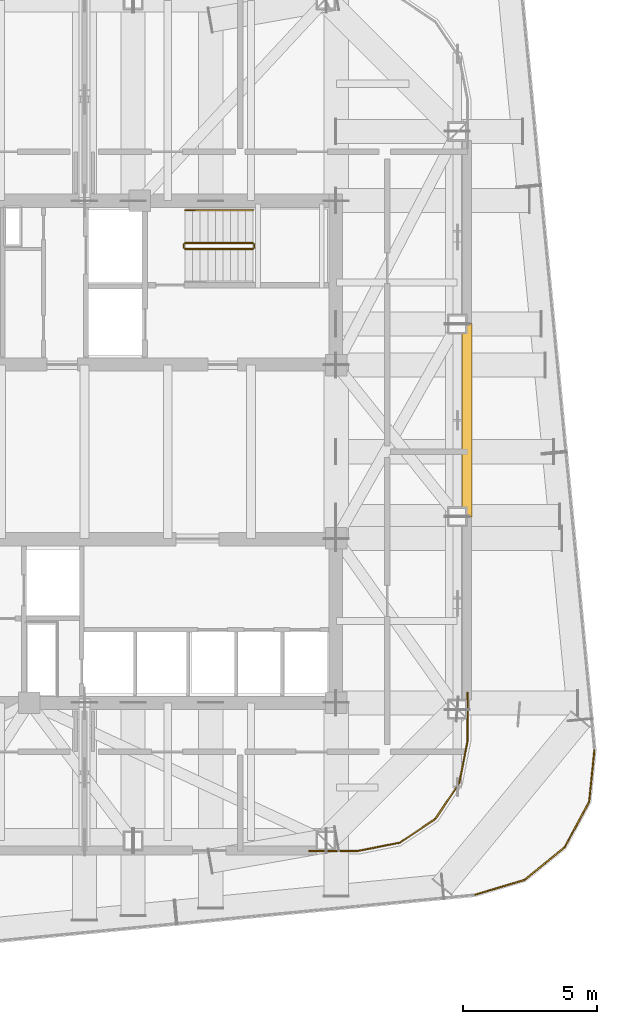
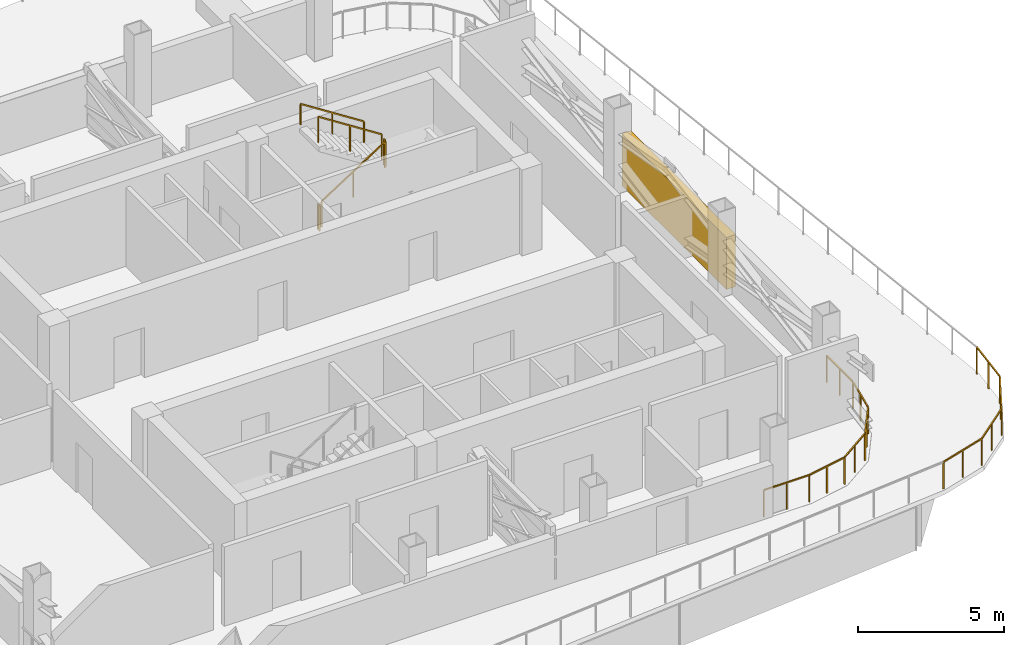
# One storey, part 11 of 12: 11 railings, 1 shading device.
"""IFC4 building model written with IfcOpenShell, lengths in metres."""

from ifc_helpers import new_model, si_unit, direction, frame, origin, origin_2d, place, context, subcontext, project, spatial, rectangle, extrude, material, type_object, element, save


model = new_model("IFC4")

# Units and contexts
model_context = context("Model", 3, precision=1e-05, world=origin(), true_north=direction((0.0, 1.0)))
body_context = subcontext(model_context, "Body", "Model", "MODEL_VIEW")
ifc_project = project(units=[si_unit("LENGTHUNIT", "METRE"), si_unit("AREAUNIT", "SQUARE_METRE"), si_unit("VOLUMEUNIT", "CUBIC_METRE"), si_unit("PLANEANGLEUNIT", "RADIAN"), si_unit("MASSUNIT", "GRAM", prefix="KILO")], contexts=[model_context])

# Site, building, storey
site_placement = place(None, origin())
site = spatial("IfcSite", under=ifc_project, at=site_placement, CompositionType="ELEMENT")
building_placement = place(site_placement, origin())
building = spatial("IfcBuilding", under=site, at=building_placement, Name="Qhalaya Broadcast Tower", CompositionType="ELEMENT")
storey_placement = place(building_placement, frame((0.0, 0.0, 187.949951171875)))
storey = spatial("IfcBuildingStorey", under=building, at=storey_placement, Name="L55", CompositionType="ELEMENT", Elevation=187.949951171875)

# Shading device
ifc_material_1 = material(Name="Fired Architectural Terracotta", Category="masonry")
shading_device_type = type_object("IfcShadingDeviceType", Name="Plant & Turbine-Slot Acoustic Louvre Screen LVS-01", PredefinedType="USERDEFINED", material=ifc_material_1)
shading_device_placement = place(storey_placement, frame((14.239990234375, 1.77001953125, 0.0), z_axis=(0.0, 0.0, 1.0), x_axis=(0.0, -1.0, 0.0)))
element("IfcShadingDevice", 1, at=shading_device_placement, inside=storey, type_object=shading_device_type, Name="L55 Plant Acoustic Louvre Screen E", ObjectType="LOUVRE", PredefinedType="USERDEFINED", context=body_context, shape_type="SweptSolid", body=[
    extrude(rectangle(XDim=7.199951171875, YDim=0.360107421875, at=origin_2d()), origin(), (0.0, 0.0, 1.0), 2.181884765625),
])

# Railings
ifc_material_2 = material(Name="Powder-Coated Galvanised Steel", Category="steel")
railing_type_1 = type_object("IfcRailingType", Name="Stair Wall Handrail 900", PredefinedType="HANDRAIL", material=ifc_material_2)
railing_1_placement = place(storey_placement, frame((6.27001953125, 9.590087890625, 1.97998046875)))
element("IfcRailing", 2, at=railing_1_placement, inside=storey, type_object=railing_type_1, Name="L55 ST-1 Stair Handrail 2", PredefinedType="HANDRAIL", context=body_context, shape_type="SweptSolid", body=[
    extrude(rectangle(XDim=0.048095703125, YDim=0.048095703125, at=origin_2d()), frame((0.0, 0.0, 0.8759765625), z_axis=(-0.841162588446, 0.0, 0.540782303519), x_axis=(0.0, -1.0, 0.0)), (0.0, 0.0, 1.0), 2.995849609375),
    extrude(rectangle(XDim=0.0419921875, YDim=0.0419921875, at=origin_2d()), origin(), (0.0, 0.0, 1.0), 0.849853515625),
    extrude(rectangle(XDim=0.0419921875, YDim=0.0419921875, at=origin_2d()), frame((-1.260009765625, 0.0, 0.81005859375)), (0.0, 0.0, 1.0), 0.849853515625),
    extrude(rectangle(XDim=0.0419921875, YDim=0.0419921875, at=origin_2d()), frame((-2.52001953125, 0.0, 1.6201171875)), (0.0, 0.0, 1.0), 0.849853515625),
])
railing_type_2 = type_object("IfcRailingType", Name="Stair Well & Landing Guardrail 1100", PredefinedType="GUARDRAIL", material=ifc_material_2)
railing_2_placement = place(storey_placement, frame((3.75, 8.14990234375, 0.179931640625)))
element("IfcRailing", 3, at=railing_2_placement, inside=storey, type_object=railing_type_2, Name="L55 ST-1 Stair Guard 1", PredefinedType="GUARDRAIL", context=body_context, shape_type="SweptSolid", body=[
    extrude(rectangle(XDim=0.048095703125, YDim=0.048095703125, at=origin_2d()), frame((0.0, 0.0, 1.076171875), z_axis=(0.841162588446, 0.0, 0.540782303519), x_axis=(0.0, 1.0, 0.0)), (0.0, 0.0, 1.0), 2.995849609375),
    extrude(rectangle(XDim=0.0419921875, YDim=0.0419921875, at=origin_2d()), origin(), (0.0, 0.0, 1.0), 1.050048828125),
    extrude(rectangle(XDim=0.0419921875, YDim=0.0419921875, at=origin_2d()), frame((1.260009765625, 0.0, 0.81005859375)), (0.0, 0.0, 1.0), 1.050048828125),
    extrude(rectangle(XDim=0.0419921875, YDim=0.0419921875, at=origin_2d()), frame((2.52001953125, 0.0, 1.6201171875)), (0.0, 0.0, 1.0), 1.050048828125),
])
railing_3_placement = place(storey_placement, frame((6.320068359375, 8.199951171875, 1.800048828125)))
element("IfcRailing", 4, at=railing_3_placement, inside=storey, type_object=railing_type_2, Name="L55 ST-1 Stair Guard 2", PredefinedType="GUARDRAIL", context=body_context, shape_type="SweptSolid", body=[
    extrude(rectangle(XDim=0.048095703125, YDim=0.048095703125, at=origin_2d()), frame((0.0, 0.0, 1.076171875), z_axis=(0.0, 1.0, 0.0), x_axis=(-1.0, 0.0, 0.0)), (0.0, 0.0, 1.0), 0.1201171875),
    extrude(rectangle(XDim=0.0419921875, YDim=0.0419921875, at=origin_2d()), origin(), (0.0, 0.0, 1.0), 1.050048828125),
    extrude(rectangle(XDim=0.0419921875, YDim=0.0419921875, at=origin_2d()), frame((0.0, 0.1201171875, 0.0)), (0.0, 0.0, 1.0), 1.050048828125),
])
railing_4_placement = place(storey_placement, frame((6.27001953125, 8.3701171875, 1.97998046875)))
element("IfcRailing", 5, at=railing_4_placement, inside=storey, type_object=railing_type_2, Name="L55 ST-1 Stair Guard 3", PredefinedType="GUARDRAIL", context=body_context, shape_type="SweptSolid", body=[
    extrude(rectangle(XDim=0.048095703125, YDim=0.048095703125, at=origin_2d()), frame((0.0, 0.0, 1.076171875), z_axis=(-0.841162588446, 0.0, 0.540782303519), x_axis=(0.0, -1.0, 0.0)), (0.0, 0.0, 1.0), 2.995849609375),
    extrude(rectangle(XDim=0.0419921875, YDim=0.0419921875, at=origin_2d()), origin(), (0.0, 0.0, 1.0), 1.050048828125),
    extrude(rectangle(XDim=0.0419921875, YDim=0.0419921875, at=origin_2d()), frame((-1.260009765625, 0.0, 0.81005859375)), (0.0, 0.0, 1.0), 1.050048828125),
    extrude(rectangle(XDim=0.0419921875, YDim=0.0419921875, at=origin_2d()), frame((-2.52001953125, 0.0, 1.6201171875)), (0.0, 0.0, 1.0), 1.050048828125),
])
railing_5_placement = place(storey_placement, frame((3.699951171875, 8.199951171875, 0.0)))
element("IfcRailing", 6, at=railing_5_placement, inside=storey, type_object=railing_type_2, Name="L55 ST-1 Stair Guard 4", PredefinedType="GUARDRAIL", context=body_context, shape_type="SweptSolid", body=[
    extrude(rectangle(XDim=0.048095703125, YDim=0.048095703125, at=origin_2d()), frame((0.0, 0.0, 1.076171875), z_axis=(0.0, 1.0, 0.0), x_axis=(-1.0, 0.0, 0.0)), (0.0, 0.0, 1.0), 0.1201171875),
    extrude(rectangle(XDim=0.0419921875, YDim=0.0419921875, at=origin_2d()), origin(), (0.0, 0.0, 1.0), 1.050048828125),
    extrude(rectangle(XDim=0.0419921875, YDim=0.0419921875, at=origin_2d()), frame((0.0, 0.1201171875, 0.0)), (0.0, 0.0, 1.0), 1.050048828125),
])
railing_type_3 = type_object("IfcRailingType", Name="Terrace, Sky-Pool & Lookout Glass Balustrade 1150", PredefinedType="BALUSTRADE", material=ifc_material_2)
railing_6_placement = place(storey_placement, frame((18.97998046875, -10.50830078125, 0.0)))
element("IfcRailing", 7, at=railing_6_placement, inside=storey, type_object=railing_type_3, Name="L55 Perimeter Safety Balustrade BAL-TER1-17", PredefinedType="BALUSTRADE", context=body_context, shape_type="SweptSolid", body=[
    extrude(rectangle(XDim=0.048095703125, YDim=0.048095703125, at=origin_2d()), frame((0.0, 0.0, 1.1259765625), z_axis=(-0.100080680776, -0.994979325079, 0.0), x_axis=(0.994979325079, -0.100080680776, 0.0)), (0.0, 0.0, 1.0), 1.92724609375),
    extrude(rectangle(XDim=0.0419921875, YDim=0.0419921875, at=origin_2d()), origin(), (0.0, 0.0, 1.0), 1.099853515625),
    extrude(rectangle(XDim=0.0419921875, YDim=0.0419921875, at=origin_2d()), frame((-0.096435546875, -0.958740234375, 0.0)), (0.0, 0.0, 1.0), 1.099853515625),
    extrude(rectangle(XDim=0.0419921875, YDim=0.0419921875, at=origin_2d()), frame((-0.19287109375, -1.91748046875, 0.0)), (0.0, 0.0, 1.0), 1.099853515625),
])
railing_7_placement = place(storey_placement, frame((18.787109375, -12.42578125, 0.0)))
element("IfcRailing", 8, at=railing_7_placement, inside=storey, type_object=railing_type_3, Name="L55 Perimeter Safety Balustrade BAL-TER1-18", PredefinedType="BALUSTRADE", context=body_context, shape_type="SweptSolid", body=[
    extrude(rectangle(XDim=0.048095703125, YDim=0.048095703125, at=origin_2d()), frame((0.0, 0.0, 1.1259765625), z_axis=(-0.473280236447, -0.880911923968, 0.0), x_axis=(0.880911923968, -0.473280236447, 0.0)), (0.0, 0.0, 1.0), 1.9189453125),
    extrude(rectangle(XDim=0.0419921875, YDim=0.0419921875, at=origin_2d()), origin(), (0.0, 0.0, 1.0), 1.099853515625),
    extrude(rectangle(XDim=0.0419921875, YDim=0.0419921875, at=origin_2d()), frame((-0.4541015625, -0.84521484375, 0.0)), (0.0, 0.0, 1.0), 1.099853515625),
    extrude(rectangle(XDim=0.0419921875, YDim=0.0419921875, at=origin_2d()), frame((-0.908203125, -1.6904296875, 0.0)), (0.0, 0.0, 1.0), 1.099853515625),
])
railing_8_placement = place(storey_placement, frame((17.87890625, -14.1162109375, 0.0)))
element("IfcRailing", 9, at=railing_8_placement, inside=storey, type_object=railing_type_3, Name="L55 Perimeter Safety Balustrade BAL-TER1-19", PredefinedType="BALUSTRADE", context=body_context, shape_type="SweptSolid", body=[
    extrude(rectangle(XDim=0.048095703125, YDim=0.048095703125, at=origin_2d()), frame((0.0, 0.0, 1.1259765625), z_axis=(-0.774399165281, -0.63269734693, 0.0), x_axis=(0.63269734693, -0.774399165281, 0.0)), (0.0, 0.0, 1.0), 1.91943359375),
    extrude(rectangle(XDim=0.0419921875, YDim=0.0419921875, at=origin_2d()), origin(), (0.0, 0.0, 1.0), 1.099853515625),
    extrude(rectangle(XDim=0.0419921875, YDim=0.0419921875, at=origin_2d()), frame((-0.7431640625, -0.607177734375, 0.0)), (0.0, 0.0, 1.0), 1.099853515625),
    extrude(rectangle(XDim=0.0419921875, YDim=0.0419921875, at=origin_2d()), frame((-1.486328125, -1.21435546875, 0.0)), (0.0, 0.0, 1.0), 1.099853515625),
])
railing_9_placement = place(storey_placement, frame((16.392578125, -15.33056640625, 0.0)))
element("IfcRailing", 10, at=railing_9_placement, inside=storey, type_object=railing_type_3, Name="L55 Perimeter Safety Balustrade BAL-TER1-20", PredefinedType="BALUSTRADE", context=body_context, shape_type="SweptSolid", body=[
    extrude(rectangle(XDim=0.048095703125, YDim=0.048095703125, at=origin_2d()), frame((0.0, 0.0, 1.1259765625), z_axis=(-0.95759582636, -0.288114965486, 0.0), x_axis=(0.288114965486, -0.95759582636, 0.0)), (0.0, 0.0, 1.0), 1.927001953125),
    extrude(rectangle(XDim=0.0419921875, YDim=0.0419921875, at=origin_2d()), origin(), (0.0, 0.0, 1.0), 1.099853515625),
    extrude(rectangle(XDim=0.0419921875, YDim=0.0419921875, at=origin_2d()), frame((-0.922607421875, -0.277587890625, 0.0)), (0.0, 0.0, 1.0), 1.099853515625),
    extrude(rectangle(XDim=0.0419921875, YDim=0.0419921875, at=origin_2d()), frame((-1.84521484375, -0.55517578125, 0.0)), (0.0, 0.0, 1.0), 1.099853515625),
])
railing_10_placement = place(storey_placement, frame((10.168212890625, -14.260009765625, 0.0)))
element("IfcRailing", 11, at=railing_10_placement, inside=storey, type_object=railing_type_3, Name="L55 Rounded Corner Perimeter Guard 01", PredefinedType="BALUSTRADE", context=body_context, shape_type="SweptSolid", body=[
    extrude(rectangle(XDim=0.048095703125, YDim=0.048095703125, at=origin_2d()), frame((0.0, 0.0, 1.1259765625), z_axis=(-1.0, 0.0, 0.0), x_axis=(0.0, -1.0, 0.0)), (0.0, 0.0, 1.0), 1.80615234375),
    extrude(rectangle(XDim=0.0419921875, YDim=0.0419921875, at=origin_2d()), origin(), (0.0, 0.0, 1.0), 1.099853515625),
    extrude(rectangle(XDim=0.0419921875, YDim=0.0419921875, at=origin_2d()), frame((-0.903076171875, 0.0, 0.0)), (0.0, 0.0, 1.0), 1.099853515625),
    extrude(rectangle(XDim=0.0419921875, YDim=0.0419921875, at=origin_2d()), frame((-1.80615234375, 0.0, 0.0)), (0.0, 0.0, 1.0), 1.099853515625),
])
railing_11_placement = place(storey_placement, frame((14.260009765625, -8.362060546875, 0.0)))
element("IfcRailing", 12, at=railing_11_placement, inside=storey, type_object=railing_type_3, Name="L55 Rounded Corner Perimeter Guard 05", PredefinedType="BALUSTRADE", context=body_context, shape_type="SweptSolid", body=[
    extrude(rectangle(XDim=0.048095703125, YDim=0.048095703125, at=origin_2d()), frame((0.0, 0.0, 1.1259765625), z_axis=(0.0, -1.0, 0.0), x_axis=(1.0, 0.0, 0.0)), (0.0, 0.0, 1.0), 1.77734375),
    extrude(rectangle(XDim=0.048095703125, YDim=0.048095703125, at=origin_2d()), frame((-0.005615234375, -1.83447265625, 1.1259765625), z_axis=(-0.195090959886, -0.980785153523, 0.0), x_axis=(0.980785153523, -0.195090959886, 0.0)), (0.0, 0.0, 1.0), 1.54541015625),
    extrude(rectangle(XDim=0.048095703125, YDim=0.048095703125, at=origin_2d()), frame((-0.328857421875, -3.40234375, 1.1259765625), z_axis=(-0.555655964777, -0.83141232178, 0.0), x_axis=(0.83141232178, -0.555655964777, 0.0)), (0.0, 0.0, 1.0), 1.533203125),
    extrude(rectangle(XDim=0.048095703125, YDim=0.048095703125, at=origin_2d()), frame((-1.220703125, -4.71728515625, 1.1259765625), z_axis=(-0.83141232178, -0.555655964777, 0.0), x_axis=(0.555655964777, -0.83141232178, 0.0)), (0.0, 0.0, 1.0), 1.533203125),
    extrude(rectangle(XDim=0.048095703125, YDim=0.048095703125, at=origin_2d()), frame((-2.5478515625, -5.5908203125, 1.1259765625), z_axis=(-0.980785153523, -0.195090959886, 0.0), x_axis=(0.195090959886, -0.980785153523, 0.0)), (0.0, 0.0, 1.0), 1.57421875),
    extrude(rectangle(XDim=0.0419921875, YDim=0.0419921875, at=origin_2d()), origin(), (0.0, 0.0, 1.0), 1.099853515625),
    extrude(rectangle(XDim=0.0419921875, YDim=0.0419921875, at=origin_2d()), frame((0.0, -0.903076171875, 0.0)), (0.0, 0.0, 1.0), 1.099853515625),
    extrude(rectangle(XDim=0.0419921875, YDim=0.0419921875, at=origin_2d()), frame((0.0, -1.80615234375, 0.0)), (0.0, 0.0, 1.0), 1.099853515625),
    extrude(rectangle(XDim=0.0419921875, YDim=0.0419921875, at=origin_2d()), frame((-0.15625, -2.59228515625, 0.0)), (0.0, 0.0, 1.0), 1.099853515625),
    extrude(rectangle(XDim=0.0419921875, YDim=0.0419921875, at=origin_2d()), frame((-0.312744140625, -3.37841796875, 0.0)), (0.0, 0.0, 1.0), 1.099853515625),
    extrude(rectangle(XDim=0.0419921875, YDim=0.0419921875, at=origin_2d()), frame((-0.7548828125, -4.039794921875, 0.0)), (0.0, 0.0, 1.0), 1.099853515625),
    extrude(rectangle(XDim=0.0419921875, YDim=0.0419921875, at=origin_2d()), frame((-1.19677734375, -4.701171875, 0.0)), (0.0, 0.0, 1.0), 1.099853515625),
    extrude(rectangle(XDim=0.0419921875, YDim=0.0419921875, at=origin_2d()), frame((-1.858154296875, -5.14306640625, 0.0)), (0.0, 0.0, 1.0), 1.099853515625),
    extrude(rectangle(XDim=0.0419921875, YDim=0.0419921875, at=origin_2d()), frame((-2.51953125, -5.585205078125, 0.0)), (0.0, 0.0, 1.0), 1.099853515625),
    extrude(rectangle(XDim=0.0419921875, YDim=0.0419921875, at=origin_2d()), frame((-3.3056640625, -5.74169921875, 0.0)), (0.0, 0.0, 1.0), 1.099853515625),
    extrude(rectangle(XDim=0.0419921875, YDim=0.0419921875, at=origin_2d()), frame((-4.091796875, -5.89794921875, 0.0)), (0.0, 0.0, 1.0), 1.099853515625),
])

save(model, "model.ifc")
